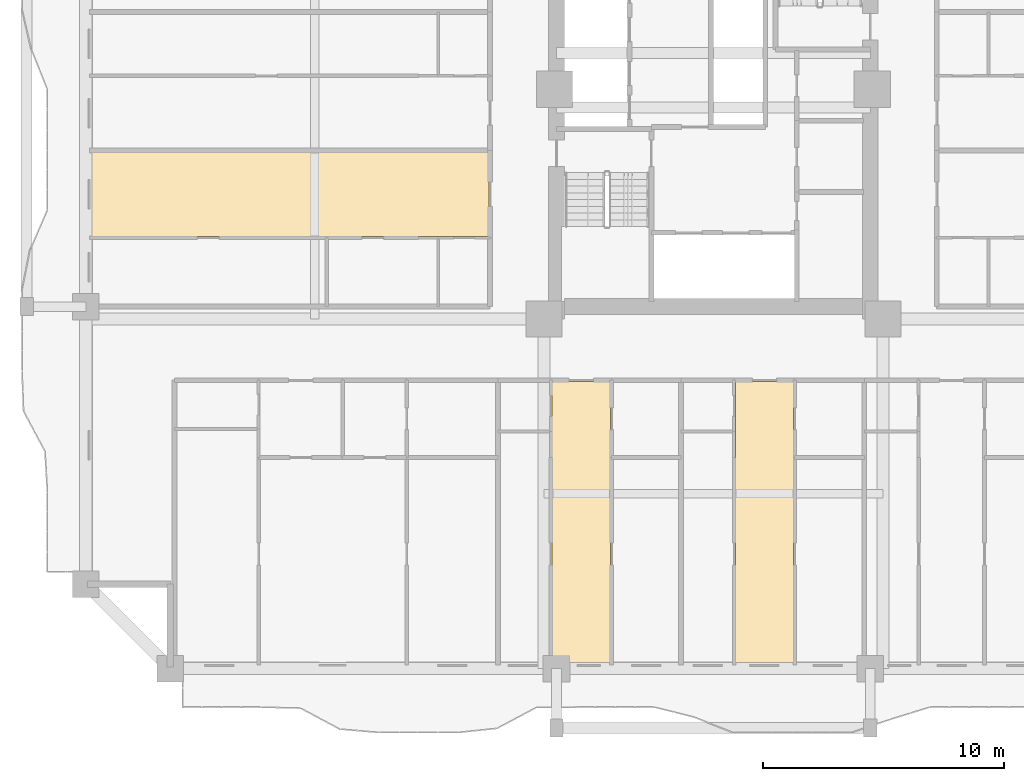
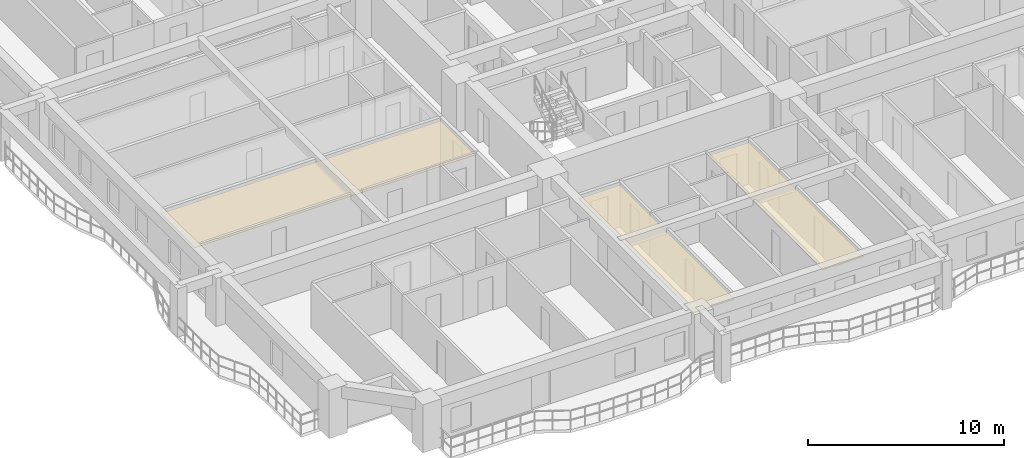
# One storey, part 12 of 16: 3 coverings.
"""IFC4 building model written with IfcOpenShell, lengths in metres."""

from ifc_helpers import new_model, si_unit, direction, frame, origin, place, context, subcontext, project, spatial, polyline, outline, extrude, material, layer, layer_set, type_object, element, save


model = new_model("IFC4")

# Units and contexts
model_context = context("Model", 3, precision=1e-05, world=origin(), true_north=direction((0.0, 1.0)))
body_context = subcontext(model_context, "Body", "Model", "MODEL_VIEW")
ifc_project = project(units=[si_unit("LENGTHUNIT", "METRE"), si_unit("AREAUNIT", "SQUARE_METRE"), si_unit("VOLUMEUNIT", "CUBIC_METRE"), si_unit("PLANEANGLEUNIT", "RADIAN"), si_unit("MASSUNIT", "GRAM", prefix="KILO")], contexts=[model_context])

# Site, building, storey
site_placement = place(None, origin())
site = spatial("IfcSite", under=ifc_project, at=site_placement, CompositionType="ELEMENT")
building_placement = place(site_placement, origin())
building = spatial("IfcBuilding", under=site, at=building_placement, Name="Saelheon Loggia Tower", CompositionType="ELEMENT")
storey_placement = place(building_placement, frame((0.0, 0.0, 55.39990234375)))
storey = spatial("IfcBuildingStorey", under=building, at=storey_placement, Name="L17", CompositionType="ELEMENT", Elevation=55.39990234375)

# Coverings
ifc_material = material(Name="Mineral-Fibre Acoustic Ceiling Board", Category="gypsum")
ifc_layer = layer(ifc_material, 0.02490234375)
ifc_layer_set = layer_set([ifc_layer], Name="Mineral-Fibre Acoustic Ceiling Board")
covering_type = type_object("IfcCoveringType", Name="Cov_Ceiling_Acoustic", PredefinedType="CEILING", material=ifc_layer_set)
covering_1_placement = place(storey_placement, frame((0.0, 0.0, 2.53515625)))
element("IfcCovering", 1, at=covering_1_placement, inside=storey, type_object=covering_type, Name="L17 Acoustic Suspended Ceiling", PredefinedType="CEILING", context=body_context, shape_type="SweptSolid", body=[
    extrude(outline(polyline([(31.322021484375, 3.199951171875), (33.72705078125, 3.199951171875), (33.72705078125, 14.89990234375), (31.322021484375, 14.89990234375), (31.322021484375, 3.199951171875)])), origin(), (0.0, 0.0, 1.0), 0.02490234375),
])
covering_2_placement = place(storey_placement, frame((0.0, 0.0, 2.53515625)))
element("IfcCovering", 2, at=covering_2_placement, inside=storey, type_object=covering_type, Name="L17 Acoustic Suspended Ceiling", PredefinedType="CEILING", context=body_context, shape_type="SweptSolid", body=[
    extrude(outline(polyline([(38.910888671875, 3.199951171875), (41.31591796875, 3.199951171875), (41.31591796875, 14.89990234375), (38.910888671875, 14.89990234375), (38.910888671875, 3.199951171875)])), origin(), (0.0, 0.0, 1.0), 0.02490234375),
])
covering_3_placement = place(storey_placement, frame((0.0, 0.0, 2.53515625)))
element("IfcCovering", 3, at=covering_3_placement, inside=storey, type_object=covering_type, Name="L17 Acoustic Suspended Ceiling", PredefinedType="CEILING", context=body_context, shape_type="SweptSolid", body=[
    extrude(outline(polyline([(12.199951171875, 20.89990234375), (28.699951171875, 20.89990234375), (28.699951171875, 24.412109375), (12.199951171875, 24.412109375), (12.199951171875, 20.89990234375)])), origin(), (0.0, 0.0, 1.0), 0.02490234375),
])

save(model, "model.ifc")
